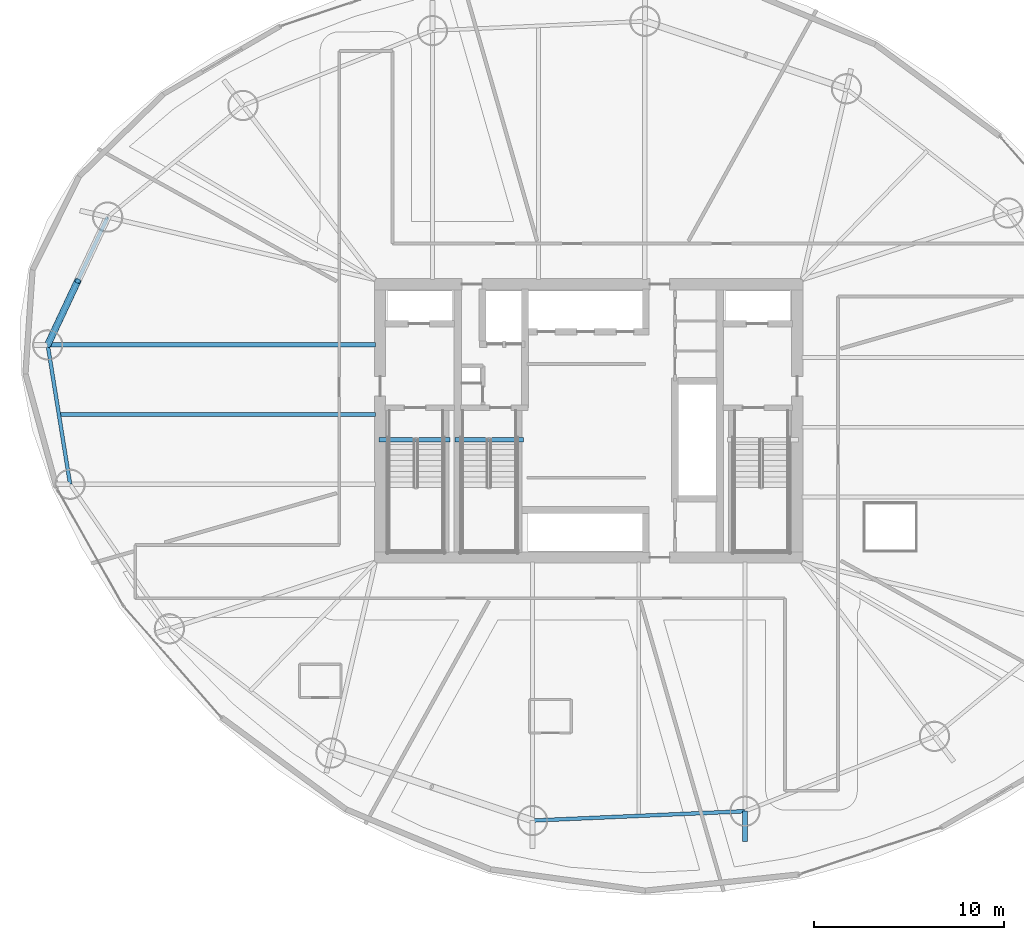
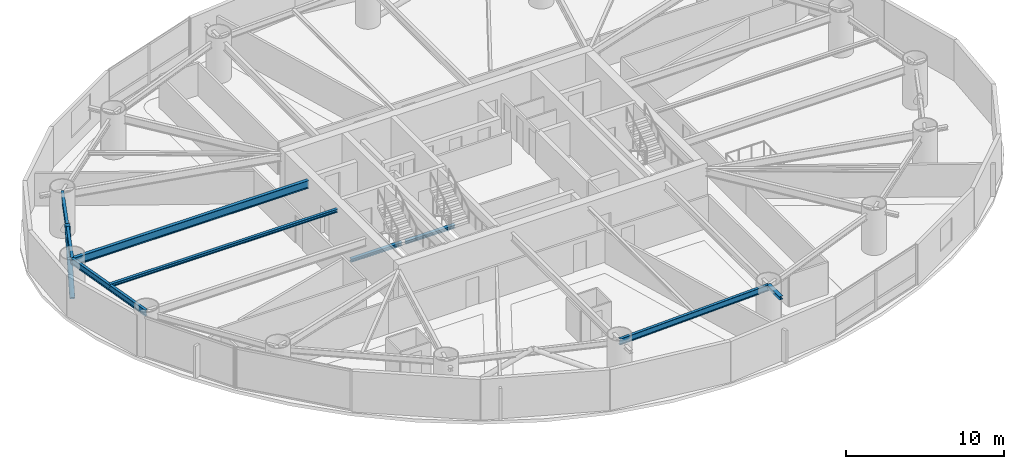
# One storey, part 5 of 25: 8 beams, 1 member.
"""IFC4 building model written with IfcOpenShell, lengths in metres."""

from ifc_helpers import new_model, si_unit, direction, frame, origin, origin_2d, place, context, subcontext, project, spatial, hollow_circle, i_section, extrude, material, material_profile, profile_set, type_object, element, save


model = new_model("IFC4")

# Units and contexts
model_context = context("Model", 3, precision=1e-05, world=origin(), true_north=direction((0.0, 1.0)))
body_context = subcontext(model_context, "Body", "Model", "MODEL_VIEW")
ifc_project = project(units=[si_unit("LENGTHUNIT", "METRE"), si_unit("AREAUNIT", "SQUARE_METRE"), si_unit("VOLUMEUNIT", "CUBIC_METRE"), si_unit("PLANEANGLEUNIT", "RADIAN"), si_unit("MASSUNIT", "GRAM", prefix="KILO")], contexts=[model_context])

# Site, building, storey
site_placement = place(None, origin())
site = spatial("IfcSite", under=ifc_project, at=site_placement, CompositionType="ELEMENT")
building_placement = place(site_placement, origin())
building = spatial("IfcBuilding", under=site, at=building_placement, Name="Bramvorn Convention Spire", CompositionType="ELEMENT")
storey_placement = place(building_placement, frame((0.0, 0.0, 93.89990234375)))
storey = spatial("IfcBuildingStorey", under=building, at=storey_placement, Name="L22", CompositionType="ELEMENT", Elevation=93.89990234375)

# Beams
ifc_material = material(Name="Steel CSA G40.21 Grade 350 (350W)", Category="steel")
ifc_material_profile_1 = material_profile(ifc_material, i_section(OverallWidth=0.201904296875, OverallDepth=0.2470703125, WebThickness=0.00732421875, FlangeThickness=0.010986328125, FilletRadius=0.011962890625, at=origin_2d()))
ifc_profile_set_1 = profile_set([ifc_material_profile_1], Name="Steel CSA G40.21 Grade 350 (350W) - W250X49")
beam_type_1 = type_object("IfcBeamType", Name="BM-W250X49", PredefinedType="JOIST", material=ifc_profile_set_1)
beam_1_placement = place(storey_placement, frame((26.75, 26.333984375, 3.026611328125), z_axis=(-1.0, 0.0, 0.0), x_axis=(0.0, -1.0, 0.0)))
element("IfcBeam", 1, at=beam_1_placement, inside=storey, type_object=beam_type_1, Name="L22 composite floor joist 09", PredefinedType="JOIST", context=body_context, shape_type="SweptSolid", body=[
    extrude(i_section(OverallWidth=0.201904296875, OverallDepth=0.2470703125, WebThickness=0.00732421875, FlangeThickness=0.010986328125, FilletRadius=0.011962890625, at=origin_2d()), origin(), (0.0, 0.0, 1.0), 16.67919921875),
])
ifc_material_profile_2 = material_profile(ifc_material, i_section(OverallWidth=0.25390625, OverallDepth=0.2529296875, WebThickness=0.008544921875, FlangeThickness=0.01416015625, FilletRadius=0.011962890625, at=origin_2d()))
ifc_profile_set_2 = profile_set([ifc_material_profile_2], Name="Steel CSA G40.21 Grade 350 (350W) - W250X73")
beam_type_2 = type_object("IfcBeamType", Name="BM-W250X73", PredefinedType="BEAM", material=ifc_profile_set_2)
beam_2_placement = place(storey_placement, frame((46.23779296875, 5.42333984375, 3.023681640625), z_axis=(0.0, -1.0, 0.0), x_axis=(1.0, 0.0, 0.0)))
element("IfcBeam", 2, at=beam_2_placement, inside=storey, type_object=beam_type_2, Name="L22 slab-edge cantilever tip beam MC14", PredefinedType="BEAM", context=body_context, shape_type="SweptSolid", body=[
    extrude(i_section(OverallWidth=0.25390625, OverallDepth=0.2529296875, WebThickness=0.008544921875, FlangeThickness=0.01416015625, FilletRadius=0.011962890625, at=origin_2d()), origin(), (0.0, 0.0, 1.0), 1.587890625),
])
beam_3_placement = place(storey_placement, frame((26.949951171875, 25.010009765625, -0.12646484375), z_axis=(1.0, 0.0, 0.0), x_axis=(0.0, 1.0, 0.0)))
element("IfcBeam", 3, at=beam_3_placement, inside=storey, type_object=beam_type_2, Name="L22 ST1 stair arrival header beam", PredefinedType="BEAM", context=body_context, shape_type="SweptSolid", body=[
    extrude(i_section(OverallWidth=0.25390625, OverallDepth=0.2529296875, WebThickness=0.008544921875, FlangeThickness=0.01416015625, FilletRadius=0.011962890625, at=origin_2d()), origin(), (0.0, 0.0, 1.0), 3.739990234375),
])
beam_4_placement = place(storey_placement, frame((30.949951171875, 25.010009765625, -0.12646484375), z_axis=(1.0, 0.0, 0.0), x_axis=(0.0, 1.0, 0.0)))
element("IfcBeam", 4, at=beam_4_placement, inside=storey, type_object=beam_type_2, Name="L22 ST3 stair arrival header beam", PredefinedType="BEAM", context=body_context, shape_type="SweptSolid", body=[
    extrude(i_section(OverallWidth=0.25390625, OverallDepth=0.2529296875, WebThickness=0.008544921875, FlangeThickness=0.01416015625, FilletRadius=0.011962890625, at=origin_2d()), origin(), (0.0, 0.0, 1.0), 3.610107421875),
])
ifc_material_profile_3 = material_profile(ifc_material, i_section(OverallWidth=0.194091796875, OverallDepth=0.468994140625, WebThickness=0.0126953125, FlangeThickness=0.0205078125, FilletRadius=0.01806640625, at=origin_2d()))
ifc_profile_set_3 = profile_set([ifc_material_profile_3], Name="Steel CSA G40.21 Grade 350 (350W) - W460X106")
beam_type_3 = type_object("IfcBeamType", Name="BM-W460X106", PredefinedType="SPANDREL", material=ifc_profile_set_3)
for number, where, z_axis, x_axis, name in (
    (5, (12.64111328125, 36.746337890625, 2.91552734375), (-0.424701955478, -0.9053332254, 0.0), (0.9053332254, -0.424701955478, 0.0), "L22 mega-column ring beam 08"),
    (6, (9.480224609375, 30.00830078125, 2.91552734375), (0.158699222824, -0.987326975563, 0.0), (0.987326975563, 0.158699222824, 0.0), "L22 mega-column ring beam 09"),
):
    element("IfcBeam", number, at=place(storey_placement, frame(where, z_axis=z_axis, x_axis=x_axis)), inside=storey, type_object=beam_type_3, Name=name, PredefinedType="SPANDREL", context=body_context, shape_type="SweptSolid", body=[
        extrude(i_section(OverallWidth=0.194091796875, OverallDepth=0.468994140625, WebThickness=0.0126953125, FlangeThickness=0.0205078125, FilletRadius=0.01806640625, at=origin_2d()), origin(), (0.0, 0.0, 1.0), 7.442626953125),
    ])
beam_5_placement = place(storey_placement, frame((35.0390625, 4.93115234375, 2.91552734375), z_axis=(0.999035582762, 0.043907907889, 0.0), x_axis=(-0.043907907889, 0.999035582762, 0.0)))
element("IfcBeam", 7, at=beam_5_placement, inside=storey, type_object=beam_type_3, Name="L22 mega-column ring beam 13", PredefinedType="SPANDREL", context=body_context, shape_type="SweptSolid", body=[
    extrude(i_section(OverallWidth=0.194091796875, OverallDepth=0.468994140625, WebThickness=0.0126953125, FlangeThickness=0.0205078125, FilletRadius=0.01806640625, at=origin_2d()), origin(), (0.0, 0.0, 1.0), 11.20947265625),
])
ifc_material_profile_4 = material_profile(ifc_material, i_section(OverallWidth=0.22998046875, OverallDepth=0.616943359375, WebThickness=0.01318359375, FlangeThickness=0.022216796875, FilletRadius=0.02001953125, at=origin_2d()))
ifc_profile_set_4 = profile_set([ifc_material_profile_4], Name="Steel CSA G40.21 Grade 350 (350W) - W610X140")
beam_type_4 = type_object("IfcBeamType", Name="BM-W610X140", PredefinedType="BEAM", material=ifc_profile_set_4)
beam_6_placement = place(storey_placement, frame((26.75, 30.00830078125, 2.841552734375), z_axis=(-1.0, 0.0, 0.0), x_axis=(0.0, -1.0, 0.0)))
element("IfcBeam", 8, at=beam_6_placement, inside=storey, type_object=beam_type_4, Name="L22 radial floor girder MC09", PredefinedType="BEAM", context=body_context, shape_type="SweptSolid", body=[
    extrude(i_section(OverallWidth=0.22998046875, OverallDepth=0.616943359375, WebThickness=0.01318359375, FlangeThickness=0.022216796875, FilletRadius=0.02001953125, at=origin_2d()), origin(), (0.0, 0.0, 1.0), 17.269775390625),
])

# Member
ifc_material_profile_5 = material_profile(ifc_material, hollow_circle(Radius=0.177734375, WallThickness=0.015869140625, at=origin_2d()))
ifc_profile_set_5 = profile_set([ifc_material_profile_5], Name="Steel CSA G40.21 Grade 350 (350W) - CHS356X16")
member_type = type_object("IfcMemberType", Name="MBR-CHS356X16", PredefinedType="BRACE", material=ifc_profile_set_5)
member_placement = place(storey_placement, frame((9.480224609375, 30.00830078125, 0.0), z_axis=(0.324181570377, 0.690976442637, 0.646109793416), x_axis=(-0.905314694797, 0.424741454752, 0.0)))
element("IfcMember", 9, at=member_placement, inside=storey, type_object=member_type, Name="L22 perimeter Gothic lancet brace 8B", PredefinedType="BRACE", context=body_context, shape_type="SweptSolid", body=[
    extrude(hollow_circle(Radius=0.177734375, WallThickness=0.015869140625, at=origin_2d()), origin(), (0.0, 0.0, 1.0), 4.87548828125),
])

save(model, "model.ifc")
